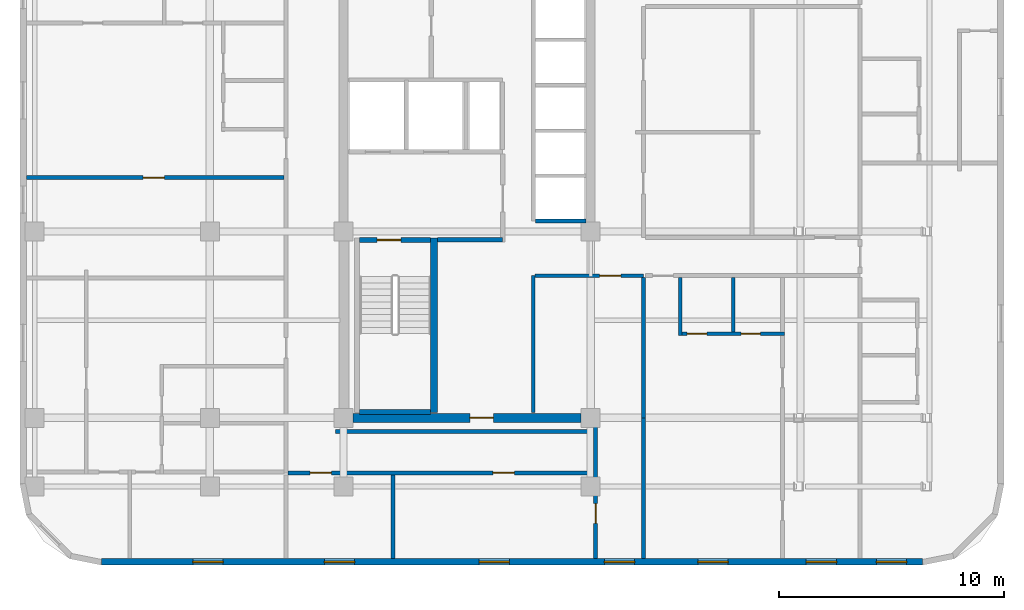
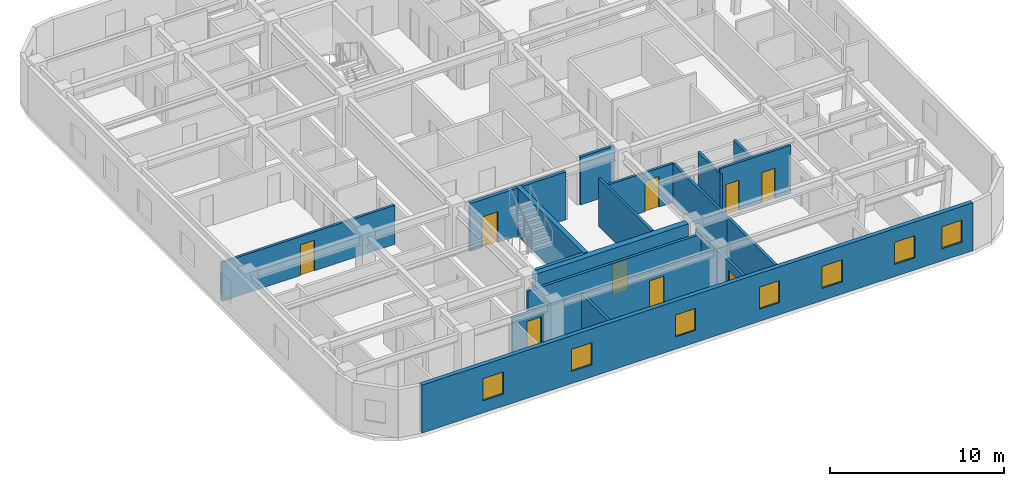
# One storey, part 3 of 8: 19 walls, 9 doors, 7 windows, 16 openings.
"""IFC4 building model written with IfcOpenShell, lengths in metres."""

import ifcopenshell
import ifcopenshell.guid

model = None  # the IFC model being written
_history = None  # IfcOwnerHistory: only IFC2X3 demands one
_inside = {}  # id of a spatial element -> (the spatial element, [elements in it])
_under = {}  # id of a project, library or spatial element -> (it, [spatial elements below it])
_declared = {}  # id of a project -> (the project, [libraries it declares])
_typed = {}  # id of a type object -> (the type object, [elements of that type])
_made_of = {}  # id of a material, layer set ... -> (it, [elements and type objects made of it])


def new_model(schema):
    """Start an empty IFC model of exactly this schema.

    Asked for "IFC4X3", IfcOpenShell would pick the latest addendum, in which some entities
    have other attributes; the version numbers below select the first issue.
    IFC2X3 requires an IfcOwnerHistory on every rooted entity: one is made here for all.
    """
    global model, _history
    if schema == "IFC4X3":
        model = ifcopenshell.file(schema_version=(4, 3, 0, 0))
    else:
        model = ifcopenshell.file(schema=schema)
    _inside.clear()
    _under.clear()
    _declared.clear()
    _typed.clear()
    _made_of.clear()
    _history = None
    if model.schema == "IFC2X3":
        org = make("IfcOrganization", Name="unknown")
        user = make(
            "IfcPersonAndOrganization",
            ThePerson=make("IfcPerson", FamilyName="unknown"),
            TheOrganization=org,
        )
        app = make(
            "IfcApplication",
            ApplicationDeveloper=org,
            Version="unknown",
            ApplicationFullName="unknown",
            ApplicationIdentifier="unknown",
        )
        _history = make(
            "IfcOwnerHistory",
            OwningUser=user,
            OwningApplication=app,
            ChangeAction="ADDED",
            CreationDate=0,
        )
    return model


def make(cls, **values):
    """One entity of the class cls with the attributes given. An attribute that is None is left unset."""
    return model.create_entity(
        cls, **{name: value for name, value in values.items() if value is not None}
    )


def rooted(cls, **values):
    """An entity with a GlobalId (a new one), such as an element, a storey or a relation."""
    return make(cls, GlobalId=ifcopenshell.guid.new(), OwnerHistory=_history, **values)


def si_unit(unit_type, name, prefix=None):
    """IfcSIUnit, for example si_unit("LENGTHUNIT", "METRE", prefix="MILLI")."""
    return make("IfcSIUnit", UnitType=unit_type, Prefix=prefix, Name=name)


def assignment(units):
    """IfcUnitAssignment: the units of a project."""
    return None if units is None else make("IfcUnitAssignment", Units=units)


def point(xyz):
    """IfcCartesianPoint."""
    return None if xyz is None else make("IfcCartesianPoint", Coordinates=xyz)


def direction(xyz):
    """IfcDirection."""
    return None if xyz is None else make("IfcDirection", DirectionRatios=xyz)


def frame(location, z_axis=None, x_axis=None):
    """IfcAxis2Placement3D, a coordinate frame: its origin and axes. An axis left out is left unset."""
    return make(
        "IfcAxis2Placement3D",
        Location=point(location),
        Axis=direction(z_axis),
        RefDirection=direction(x_axis),
    )


def frame_2d(location, x_axis=None):
    """IfcAxis2Placement2D, a coordinate frame in the plane: its origin and x axis."""
    return make(
        "IfcAxis2Placement2D", Location=point(location), RefDirection=direction(x_axis)
    )


def origin():
    """The frame at (0, 0, 0) with its axes left unset."""
    return frame((0.0, 0.0, 0.0))


def place(relative_to, where):
    """IfcLocalPlacement: puts the frame where relative to a parent placement (None: the world)."""
    return make(
        "IfcLocalPlacement", PlacementRelTo=relative_to, RelativePlacement=where
    )


def context(
    kind, dimensions, precision=None, world=None, true_north=None, identifier=None
):
    """IfcGeometricRepresentationContext, for example the 3D "Model" context."""
    return make(
        "IfcGeometricRepresentationContext",
        ContextIdentifier=identifier,
        ContextType=kind,
        CoordinateSpaceDimension=dimensions,
        Precision=precision,
        WorldCoordinateSystem=world,
        TrueNorth=true_north,
    )


def subcontext(parent, identifier, kind, view, scale=None):
    """IfcGeometricRepresentationSubContext, for example "Body" below "Model"."""
    return make(
        "IfcGeometricRepresentationSubContext",
        ContextIdentifier=identifier,
        ContextType=kind,
        ParentContext=parent,
        TargetScale=scale,
        TargetView=view,
    )


def project(units=None, contexts=None):
    """IfcProject with its units and contexts."""
    return rooted(
        "IfcProject",
        Name="project",
        RepresentationContexts=contexts,
        UnitsInContext=assignment(units),
    )


def spatial(cls, under=None, at=None, **own):
    """A site, building, storey or space (cls), placed at a placement, below another one or the project."""
    s = rooted(cls, ObjectPlacement=at, **own)
    if under is not None:
        _under.setdefault(under.id(), (under, []))[1].append(s)
    return s


def profile(cls, at=None, kind="AREA", **sizes):
    """A parametric profile (cls). Its sizes go by their IFC names, for example OverallWidth=200.0."""
    return make(cls, ProfileType=kind, Position=at, **sizes)


def rectangle(**sizes):
    """IfcRectangleProfileDef."""
    return profile("IfcRectangleProfileDef", **sizes)


def extrude(swept, where, along, depth):
    """IfcExtrudedAreaSolid: the profile swept, set in the frame where, extruded along a direction by depth."""
    return make(
        "IfcExtrudedAreaSolid",
        SweptArea=swept,
        Position=where,
        ExtrudedDirection=direction(along),
        Depth=depth,
    )


def shape(context_of_items, identifier, shape_type, items):
    """IfcShapeRepresentation: the items that make up one representation, for example the "Body"."""
    return make(
        "IfcShapeRepresentation",
        ContextOfItems=context_of_items,
        RepresentationIdentifier=identifier,
        RepresentationType=shape_type,
        Items=items,
    )


def material(Name=None, Category=None):
    """IfcMaterial."""
    return make("IfcMaterial", Name=Name, Category=Category)


def layer(
    of_material, thickness, ventilated=None, Name=None, Category=None, Priority=None
):
    """IfcMaterialLayer: one layer of a wall or slab, of a material (None: an air gap)."""
    return make(
        "IfcMaterialLayer",
        Material=of_material,
        LayerThickness=thickness,
        IsVentilated=ventilated,
        Name=Name,
        Category=Category,
        Priority=Priority,
    )


def layer_set(layers, Name=None):
    """IfcMaterialLayerSet."""
    return make("IfcMaterialLayerSet", MaterialLayers=layers, LayerSetName=Name)


def made_of(thing, what):
    """Note that an element or type object is made of a material, layer set ...; save() writes the relation."""
    if what is not None:
        _made_of.setdefault(what.id(), (what, []))[1].append(thing)
    return thing


def type_object(cls, material=None, **own):
    """A type object (cls), such as IfcWallType, which elements share."""
    return made_of(rooted(cls, **own), material)


def element(
    cls,
    number,
    at=None,
    inside=None,
    cuts=None,
    type_object=None,
    material=None,
    context=None,
    identifier="Body",
    shape_type=None,
    held_by="IfcProductDefinitionShape",
    body=None,
    shapes=None,
    **own,
):
    """One element of the class cls, such as IfcWall. Its Tag is "e" and its number.

    at: its placement. inside: the storey or other place that contains it. cuts: it is an
    opening in that element (IfcRelVoidsElement). A single representation is given by context,
    identifier, shape_type and body (its items); several are given by shapes. held_by: the class
    of the entity that holds the representations. save() writes the other relations.
    """
    e = rooted(cls, Tag="e%d" % number, ObjectPlacement=at, **own)
    if body is not None:
        shapes = [shape(context, identifier, shape_type, body)]
    if shapes is not None:
        e.Representation = make(held_by, Representations=shapes)
    if inside is not None:
        _inside.setdefault(inside.id(), (inside, []))[1].append(e)
    if cuts is not None:
        rooted(
            "IfcRelVoidsElement", RelatingBuildingElement=cuts, RelatedOpeningElement=e
        )
    if type_object is not None:
        _typed.setdefault(type_object.id(), (type_object, []))[1].append(e)
    return made_of(e, material)


def fill(opening, filler):
    """IfcRelFillsElement: the door or window that sits in an opening."""
    return rooted(
        "IfcRelFillsElement",
        RelatingOpeningElement=opening,
        RelatedBuildingElement=filler,
    )


def aggregate(whole, parts):
    """IfcRelAggregates: a whole, such as a stair, and the parts it consists of."""
    return rooted("IfcRelAggregates", RelatingObject=whole, RelatedObjects=parts)


def save(model, path):
    """Write the relations noted so far, then the file.

    IfcRelAggregates (storeys below a building ...), IfcRelContainedInSpatialStructure (elements
    in a storey), IfcRelDefinesByType, IfcRelAssociatesMaterial and IfcRelDeclares: one each for
    every whole, place, type object, material and project.
    """
    for whole, parts in _under.values():
        aggregate(whole, parts)
    for where, things in _inside.values():
        rooted(
            "IfcRelContainedInSpatialStructure",
            RelatedElements=things,
            RelatingStructure=where,
        )
    for kind, things in _typed.values():
        rooted("IfcRelDefinesByType", RelatedObjects=things, RelatingType=kind)
    for what, things in _made_of.values():
        rooted("IfcRelAssociatesMaterial", RelatedObjects=things, RelatingMaterial=what)
    for by, libraries in _declared.values():
        rooted("IfcRelDeclares", RelatingContext=by, RelatedDefinitions=libraries)
    model.write(path)


model = new_model("IFC4")

# Units and contexts
model_context = context("Model", 3, precision=1e-05, world=origin(), true_north=direction((0.0, 1.0)))
body_context = subcontext(model_context, "Body", "Model", "MODEL_VIEW")
ifc_project = project(units=[si_unit("LENGTHUNIT", "METRE"), si_unit("AREAUNIT", "SQUARE_METRE"), si_unit("VOLUMEUNIT", "CUBIC_METRE"), si_unit("PLANEANGLEUNIT", "RADIAN"), si_unit("MASSUNIT", "GRAM", prefix="KILO")], contexts=[model_context])

# Site, building, storey
site_placement = place(None, origin())
site = spatial("IfcSite", under=ifc_project, at=site_placement, CompositionType="ELEMENT")
building_placement = place(site_placement, origin())
building = spatial("IfcBuilding", under=site, at=building_placement, Name="Ochreholt Gables", CompositionType="ELEMENT")
storey_placement = place(building_placement, frame((0.0, 0.0, 128.39990234375)))
storey = spatial("IfcBuildingStorey", under=building, at=storey_placement, Name="L33", CompositionType="ELEMENT", Elevation=128.39990234375)

# Wall, opening, door
ifc_material_1 = material(Name="Concrete 60 MPa", Category="concrete")
ifc_layer_1 = layer(ifc_material_1, 0.39990234375, Name="Concrete 60 MPa")
ifc_layer_set_1 = layer_set([ifc_layer_1], Name="Concrete 60 MPa")
wall_type_1 = type_object("IfcWallType", Name="WALL-CSW-400", PredefinedType="SHEAR", material=ifc_layer_set_1)
wall_1_placement = place(storey_placement, frame((24.625, 9.25, 0.0), z_axis=(0.0, 0.0, 1.0), x_axis=(1.0, 0.0, 0.0)))
wall_1 = element("IfcWall", 1, at=wall_1_placement, inside=storey, type_object=wall_type_1, Name="L33 Core South Shear Wall", PredefinedType="SHEAR", context=body_context, shape_type="SweptSolid", body=[
    extrude(rectangle(XDim=10.14990234375, YDim=0.39990234375, at=frame_2d((5.074951171875, 0.0))), origin(), (0.0, 0.0, 1.0), 3.360107421875),
])
opening_1_placement = place(wall_1_placement, frame((5.199951171875, 0.0, 0.0)))
opening_1 = element("IfcOpeningElement", 2, at=opening_1_placement, cuts=wall_1, Name="Opening D-FLB", PredefinedType="OPENING", context=body_context, shape_type="SweptSolid", body=[
    extrude(rectangle(XDim=1.050048828125, YDim=2.14990234375, at=frame_2d((0.52490234375, 1.074951171875))), frame((0.0, 0.2099609375, 0.0), z_axis=(0.0, -1.0, 0.0), x_axis=(1.0, 0.0, 0.0)), (0.0, 0.0, 1.0), 0.419921875),
])
ifc_material_2 = material(Name="Hollow Metal Steel", Category="steel")
door_type_1 = type_object("IfcDoorType", Name="DR-INT-FLB1050", OperationType="NOTDEFINED", PredefinedType="DOOR", material=ifc_material_2)
door_1_placement = place(opening_1_placement, origin())
door_1 = element("IfcDoor", 3, at=door_1_placement, inside=storey, type_object=door_type_1, Name="L33 Door D-C2CRS-L33", OperationType="SINGLE_SWING_LEFT", OverallHeight=2.14990234375, OverallWidth=1.050048828125, PredefinedType="DOOR", context=body_context, shape_type="SweptSolid", body=[
    extrude(rectangle(XDim=1.050048828125, YDim=2.14990234375, at=frame_2d((0.52490234375, 1.074951171875))), frame((0.0, 0.02490234375, 0.0), z_axis=(0.0, -1.0, 0.0), x_axis=(1.0, 0.0, 0.0)), (0.0, 0.0, 1.0), 0.050048828125),
])
fill(opening_1, door_1)

# Wall, openings, windows
ifc_material_3 = material(Name="Precast concrete 40 MPa", Category="concrete")
ifc_layer_2 = layer(ifc_material_3, 0.280029296875, Name="Precast concrete 40 MPa")
ifc_layer_set_2 = layer_set([ifc_layer_2], Name="Precast concrete 40 MPa")
wall_type_2 = type_object("IfcWallType", Name="WALL-EXT-280", PredefinedType="SOLIDWALL", material=ifc_layer_set_2)
wall_2_placement = place(storey_placement, frame((13.419921875, 2.840087890625, 0.0), z_axis=(0.0, 0.0, 1.0), x_axis=(1.0, 0.0, 0.0)))
wall_2 = element("IfcWall", 4, at=wall_2_placement, inside=storey, type_object=wall_type_2, Name="L33 South Exterior Wall", PredefinedType="SOLIDWALL", context=body_context, shape_type="SweptSolid", body=[
    extrude(rectangle(XDim=36.56005859375, YDim=0.280029296875, at=frame_2d((18.280029296875, 0.0))), origin(), (0.0, 0.0, 1.0), 3.360107421875),
])
opening_2_placement = place(wall_2_placement, frame((4.070068359375, 0.0, 0.85009765625)))
opening_2 = element("IfcOpeningElement", 5, at=opening_2_placement, cuts=wall_2, Name="Opening WN-8", PredefinedType="OPENING", context=body_context, shape_type="SweptSolid", body=[
    extrude(rectangle(XDim=1.35009765625, YDim=1.550048828125, at=frame_2d((0.675048828125, 0.77490234375))), frame((0.0, 0.14990234375, 0.0), z_axis=(0.0, -1.0, 0.0), x_axis=(1.0, 0.0, 0.0)), (0.0, 0.0, 1.0), 0.300048828125),
])
opening_3_placement = place(wall_2_placement, frame((9.929931640625, 0.0, 0.85009765625)))
opening_3 = element("IfcOpeningElement", 6, at=opening_3_placement, cuts=wall_2, Name="Opening WN-8", PredefinedType="OPENING", context=body_context, shape_type="SweptSolid", body=[
    extrude(rectangle(XDim=1.35009765625, YDim=1.550048828125, at=frame_2d((0.675048828125, 0.77490234375))), frame((0.0, 0.14990234375, 0.0), z_axis=(0.0, -1.0, 0.0), x_axis=(1.0, 0.0, 0.0)), (0.0, 0.0, 1.0), 0.300048828125),
])
opening_4_placement = place(wall_2_placement, frame((16.81494140625, 0.0, 0.85009765625)))
opening_4 = element("IfcOpeningElement", 7, at=opening_4_placement, cuts=wall_2, Name="Opening WN-8", PredefinedType="OPENING", context=body_context, shape_type="SweptSolid", body=[
    extrude(rectangle(XDim=1.35009765625, YDim=1.550048828125, at=frame_2d((0.675048828125, 0.77490234375))), frame((0.0, 0.14990234375, 0.0), z_axis=(0.0, -1.0, 0.0), x_axis=(1.0, 0.0, 0.0)), (0.0, 0.0, 1.0), 0.300048828125),
])
opening_5_placement = place(wall_2_placement, frame((22.389892578125, 0.0, 0.85009765625)))
opening_5 = element("IfcOpeningElement", 8, at=opening_5_placement, cuts=wall_2, Name="Opening WN-8", PredefinedType="OPENING", context=body_context, shape_type="SweptSolid", body=[
    extrude(rectangle(XDim=1.35009765625, YDim=1.550048828125, at=frame_2d((0.675048828125, 0.77490234375))), frame((0.0, 0.14990234375, 0.0), z_axis=(0.0, -1.0, 0.0), x_axis=(1.0, 0.0, 0.0)), (0.0, 0.0, 1.0), 0.300048828125),
])
opening_6_placement = place(wall_2_placement, frame((26.550048828125, 0.0, 0.85009765625)))
opening_6 = element("IfcOpeningElement", 9, at=opening_6_placement, cuts=wall_2, Name="Opening WN-8", PredefinedType="OPENING", context=body_context, shape_type="SweptSolid", body=[
    extrude(rectangle(XDim=1.35009765625, YDim=1.550048828125, at=frame_2d((0.675048828125, 0.77490234375))), frame((0.0, 0.14990234375, 0.0), z_axis=(0.0, -1.0, 0.0), x_axis=(1.0, 0.0, 0.0)), (0.0, 0.0, 1.0), 0.300048828125),
])
opening_7_placement = place(wall_2_placement, frame((31.375, 0.0, 0.85009765625)))
opening_7 = element("IfcOpeningElement", 10, at=opening_7_placement, cuts=wall_2, Name="Opening WN-8", PredefinedType="OPENING", context=body_context, shape_type="SweptSolid", body=[
    extrude(rectangle(XDim=1.35009765625, YDim=1.550048828125, at=frame_2d((0.675048828125, 0.77490234375))), frame((0.0, 0.14990234375, 0.0), z_axis=(0.0, -1.0, 0.0), x_axis=(1.0, 0.0, 0.0)), (0.0, 0.0, 1.0), 0.300048828125),
])
opening_8_placement = place(wall_2_placement, frame((34.4951171875, 0.0, 0.85009765625)))
opening_8 = element("IfcOpeningElement", 11, at=opening_8_placement, cuts=wall_2, Name="Opening WN-8", PredefinedType="OPENING", context=body_context, shape_type="SweptSolid", body=[
    extrude(rectangle(XDim=1.35009765625, YDim=1.550048828125, at=frame_2d((0.675048828125, 0.77490234375))), frame((0.0, 0.14990234375, 0.0), z_axis=(0.0, -1.0, 0.0), x_axis=(1.0, 0.0, 0.0)), (0.0, 0.0, 1.0), 0.300048828125),
])
ifc_material_4 = material(Name="Triple-Glazed Thermally Broken Aluminium Window", Category="aluminium")
window_type = type_object("IfcWindowType", Name="WIN-RES-1350", PartitioningType="SINGLE_PANEL", PredefinedType="WINDOW", material=ifc_material_4)
window_1_placement = place(opening_2_placement, origin())
window_1 = element("IfcWindow", 12, at=window_1_placement, inside=storey, type_object=window_type, Name="L33 Window W-EXT-S-L33-1", OverallHeight=1.550048828125, OverallWidth=1.35009765625, PartitioningType="SINGLE_PANEL", PredefinedType="WINDOW", context=body_context, shape_type="SweptSolid", body=[
    extrude(rectangle(XDim=1.35009765625, YDim=1.550048828125, at=frame_2d((0.675048828125, 0.77490234375))), frame((0.0, 0.030029296875, 0.0), z_axis=(0.0, -1.0, 0.0), x_axis=(1.0, 0.0, 0.0)), (0.0, 0.0, 1.0), 0.06005859375),
])
fill(opening_2, window_1)
window_2_placement = place(opening_3_placement, origin())
window_2 = element("IfcWindow", 13, at=window_2_placement, inside=storey, type_object=window_type, Name="L33 Window W-EXT-S-L33-2", OverallHeight=1.550048828125, OverallWidth=1.35009765625, PartitioningType="SINGLE_PANEL", PredefinedType="WINDOW", context=body_context, shape_type="SweptSolid", body=[
    extrude(rectangle(XDim=1.35009765625, YDim=1.550048828125, at=frame_2d((0.675048828125, 0.77490234375))), frame((0.0, 0.030029296875, 0.0), z_axis=(0.0, -1.0, 0.0), x_axis=(1.0, 0.0, 0.0)), (0.0, 0.0, 1.0), 0.06005859375),
])
fill(opening_3, window_2)
window_3_placement = place(opening_4_placement, origin())
window_3 = element("IfcWindow", 14, at=window_3_placement, inside=storey, type_object=window_type, Name="L33 Window W-EXT-S-L33-3", OverallHeight=1.550048828125, OverallWidth=1.35009765625, PartitioningType="SINGLE_PANEL", PredefinedType="WINDOW", context=body_context, shape_type="SweptSolid", body=[
    extrude(rectangle(XDim=1.35009765625, YDim=1.550048828125, at=frame_2d((0.675048828125, 0.77490234375))), frame((0.0, 0.030029296875, 0.0), z_axis=(0.0, -1.0, 0.0), x_axis=(1.0, 0.0, 0.0)), (0.0, 0.0, 1.0), 0.06005859375),
])
fill(opening_4, window_3)
window_4_placement = place(opening_5_placement, origin())
window_4 = element("IfcWindow", 15, at=window_4_placement, inside=storey, type_object=window_type, Name="L33 Window W-EXT-S-L33-4", OverallHeight=1.550048828125, OverallWidth=1.35009765625, PartitioningType="SINGLE_PANEL", PredefinedType="WINDOW", context=body_context, shape_type="SweptSolid", body=[
    extrude(rectangle(XDim=1.35009765625, YDim=1.550048828125, at=frame_2d((0.675048828125, 0.77490234375))), frame((0.0, 0.030029296875, 0.0), z_axis=(0.0, -1.0, 0.0), x_axis=(1.0, 0.0, 0.0)), (0.0, 0.0, 1.0), 0.06005859375),
])
fill(opening_5, window_4)
window_5_placement = place(opening_6_placement, origin())
window_5 = element("IfcWindow", 16, at=window_5_placement, inside=storey, type_object=window_type, Name="L33 Window W-EXT-S-L33-5", OverallHeight=1.550048828125, OverallWidth=1.35009765625, PartitioningType="SINGLE_PANEL", PredefinedType="WINDOW", context=body_context, shape_type="SweptSolid", body=[
    extrude(rectangle(XDim=1.35009765625, YDim=1.550048828125, at=frame_2d((0.675048828125, 0.77490234375))), frame((0.0, 0.030029296875, 0.0), z_axis=(0.0, -1.0, 0.0), x_axis=(1.0, 0.0, 0.0)), (0.0, 0.0, 1.0), 0.06005859375),
])
fill(opening_6, window_5)
window_6_placement = place(opening_7_placement, origin())
window_6 = element("IfcWindow", 17, at=window_6_placement, inside=storey, type_object=window_type, Name="L33 Window W-EXT-S-L33-6", OverallHeight=1.550048828125, OverallWidth=1.35009765625, PartitioningType="SINGLE_PANEL", PredefinedType="WINDOW", context=body_context, shape_type="SweptSolid", body=[
    extrude(rectangle(XDim=1.35009765625, YDim=1.550048828125, at=frame_2d((0.675048828125, 0.77490234375))), frame((0.0, 0.030029296875, 0.0), z_axis=(0.0, -1.0, 0.0), x_axis=(1.0, 0.0, 0.0)), (0.0, 0.0, 1.0), 0.06005859375),
])
fill(opening_7, window_6)
window_7_placement = place(opening_8_placement, origin())
window_7 = element("IfcWindow", 18, at=window_7_placement, inside=storey, type_object=window_type, Name="L33 Window W-EXT-S-L33-7", OverallHeight=1.550048828125, OverallWidth=1.35009765625, PartitioningType="SINGLE_PANEL", PredefinedType="WINDOW", context=body_context, shape_type="SweptSolid", body=[
    extrude(rectangle(XDim=1.35009765625, YDim=1.550048828125, at=frame_2d((0.675048828125, 0.77490234375))), frame((0.0, 0.030029296875, 0.0), z_axis=(0.0, -1.0, 0.0), x_axis=(1.0, 0.0, 0.0)), (0.0, 0.0, 1.0), 0.06005859375),
])
fill(opening_8, window_7)

# Wall
ifc_material_5 = material(Name="Concrete 40 MPa", Category="concrete")
ifc_layer_3 = layer(ifc_material_5, 0.199951171875, Name="Concrete 40 MPa")
ifc_layer_set_3 = layer_set([ifc_layer_3], Name="Concrete 40 MPa")
wall_type_3 = type_object("IfcWallType", Name="WALL-INT-CF200", PredefinedType="STANDARD", material=ifc_layer_set_3)
wall_3_placement = place(storey_placement, frame((28.3798828125, 17.169921875, 0.0), z_axis=(0.0, 0.0, 1.0), x_axis=(1.0, 0.0, 0.0)))
element("IfcWall", 19, at=wall_3_placement, inside=storey, type_object=wall_type_3, Name="L33 Interior Wall WI-FFS-L33", PredefinedType="STANDARD", context=body_context, shape_type="SweptSolid", body=[
    extrude(rectangle(XDim=2.900146484375, YDim=0.199951171875, at=frame_2d((1.4501953125, 0.0))), origin(), (0.0, 0.0, 1.0), 3.360107421875),
])

# Wall, openings, doors
ifc_material_6 = material(Name="Fire-Rated Gypsum Acoustic Partition", Category="gypsum")
ifc_layer_4 = layer(ifc_material_6, 0.179931640625, Name="Fire-Rated Gypsum Acoustic Partition")
ifc_layer_set_4 = layer_set([ifc_layer_4], Name="Fire-Rated Gypsum Acoustic Partition")
wall_type_4 = type_object("IfcWallType", Name="WALL-INT-CR180", PredefinedType="STANDARD", material=ifc_layer_set_4)
wall_4_placement = place(storey_placement, frame((21.739990234375, 6.800048828125, 0.0), z_axis=(0.0, 0.0, 1.0), x_axis=(1.0, 0.0, 0.0)))
wall_4 = element("IfcWall", 20, at=wall_4_placement, inside=storey, type_object=wall_type_4, Name="L33 Interior Wall WI-C2WCS-L33", PredefinedType="STANDARD", context=body_context, shape_type="SweptSolid", body=[
    extrude(rectangle(XDim=13.679931640625, YDim=0.179931640625, at=frame_2d((6.83984375, 0.0))), origin(), (0.0, 0.0, 1.0), 2.731201171875),
])
opening_9_placement = place(wall_4_placement, frame((0.969970703125, 0.0, 0.0)))
opening_9 = element("IfcOpeningElement", 21, at=opening_9_placement, cuts=wall_4, Name="Opening D-GN1", PredefinedType="OPENING", context=body_context, shape_type="SweptSolid", body=[
    extrude(rectangle(XDim=0.949951171875, YDim=2.14990234375, at=frame_2d((0.47509765625, 1.074951171875))), frame((0.0, 0.099853515625, 0.0), z_axis=(0.0, -1.0, 0.0), x_axis=(1.0, 0.0, 0.0)), (0.0, 0.0, 1.0), 0.199951171875),
])
opening_10_placement = place(wall_4_placement, frame((9.110107421875, 0.0, 0.0)))
opening_10 = element("IfcOpeningElement", 22, at=opening_10_placement, cuts=wall_4, Name="Opening D-GN1", PredefinedType="OPENING", context=body_context, shape_type="SweptSolid", body=[
    extrude(rectangle(XDim=0.949951171875, YDim=2.14990234375, at=frame_2d((0.47509765625, 1.074951171875))), frame((0.0, 0.099853515625, 0.0), z_axis=(0.0, -1.0, 0.0), x_axis=(1.0, 0.0, 0.0)), (0.0, 0.0, 1.0), 0.199951171875),
])
ifc_material_7 = material(Name="Engineered Oak Timber", Category="wood")
door_type_2 = type_object("IfcDoorType", Name="DR-INT-GEN950", OperationType="NOTDEFINED", PredefinedType="DOOR", material=ifc_material_7)
door_2_placement = place(opening_9_placement, origin())
door_2 = element("IfcDoor", 23, at=door_2_placement, inside=storey, type_object=door_type_2, Name="L33 Door D-C2STL1-L33", OperationType="SINGLE_SWING_LEFT", OverallHeight=2.14990234375, OverallWidth=0.949951171875, PredefinedType="DOOR", context=body_context, shape_type="SweptSolid", body=[
    extrude(rectangle(XDim=0.949951171875, YDim=2.14990234375, at=frame_2d((0.47509765625, 1.074951171875))), frame((0.0, 0.02490234375, 0.0), z_axis=(0.0, -1.0, 0.0), x_axis=(1.0, 0.0, 0.0)), (0.0, 0.0, 1.0), 0.050048828125),
])
fill(opening_9, door_2)
door_3_placement = place(opening_10_placement, origin())
door_3 = element("IfcDoor", 24, at=door_3_placement, inside=storey, type_object=door_type_2, Name="L33 Door D-C2STL2-L33", OperationType="SINGLE_SWING_RIGHT", OverallHeight=2.14990234375, OverallWidth=0.949951171875, PredefinedType="DOOR", context=body_context, shape_type="SweptSolid", body=[
    extrude(rectangle(XDim=0.949951171875, YDim=2.14990234375, at=frame_2d((0.47509765625, 1.074951171875))), frame((0.0, 0.02490234375, 0.0), z_axis=(0.0, -1.0, 0.0), x_axis=(1.0, 0.0, 0.0)), (0.0, 0.0, 1.0), 0.050048828125),
])
fill(opening_10, door_3)

# Wall
wall_5_placement = place(storey_placement, frame((23.85009765625, 8.64990234375, 0.0), z_axis=(0.0, 0.0, 1.0), x_axis=(1.0, 0.0, 0.0)))
element("IfcWall", 25, at=wall_5_placement, inside=storey, type_object=wall_type_4, Name="L33 Interior Wall WI-C2WCS2-L33", PredefinedType="STANDARD", context=body_context, shape_type="SweptSolid", body=[
    extrude(rectangle(XDim=11.56982421875, YDim=0.179931640625, at=frame_2d((5.784912109375, 0.0))), origin(), (0.0, 0.0, 1.0), 2.731201171875),
])

# Wall, opening, door
ifc_material_8 = material(Name="Double-Stud Acoustic Demising Wall", Category="gypsum")
ifc_layer_5 = layer(ifc_material_8, 0.179931640625, Name="Double-Stud Acoustic Demising Wall")
ifc_layer_set_5 = layer_set([ifc_layer_5], Name="Double-Stud Acoustic Demising Wall")
wall_type_5 = type_object("IfcWallType", Name="WALL-INT-DM180", PredefinedType="PARTITIONING", material=ifc_layer_set_5)
wall_6_placement = place(storey_placement, frame((35.419921875, 2.97998046875, 0.0), z_axis=(0.0, 0.0, 1.0), x_axis=(0.0, 1.0, 0.0)))
wall_6 = element("IfcWall", 26, at=wall_6_placement, inside=storey, type_object=wall_type_5, Name="L33 Interior Wall WI-C2SES-L33", PredefinedType="PARTITIONING", context=body_context, shape_type="SweptSolid", body=[
    extrude(rectangle(XDim=6.27001953125, YDim=0.179931640625, at=frame_2d((3.135009765625, 0.0))), origin(), (0.0, 0.0, 1.0), 2.731201171875),
])
opening_11_placement = place(wall_6_placement, frame((1.570068359375, 0.0, 0.0)))
opening_11 = element("IfcOpeningElement", 27, at=opening_11_placement, cuts=wall_6, Name="Opening D-GN2", PredefinedType="OPENING", context=body_context, shape_type="SweptSolid", body=[
    extrude(rectangle(XDim=0.8798828125, YDim=2.1201171875, at=frame_2d((0.43994140625, 1.06005859375))), frame((0.0, 0.099853515625, 0.0), z_axis=(0.0, -1.0, 0.0), x_axis=(1.0, 0.0, 0.0)), (0.0, 0.0, 1.0), 0.199951171875),
])
door_type_3 = type_object("IfcDoorType", Name="DR-INT-GEN880", OperationType="NOTDEFINED", PredefinedType="DOOR", material=ifc_material_7)
door_4_placement = place(opening_11_placement, origin())
door_4 = element("IfcDoor", 28, at=door_4_placement, inside=storey, type_object=door_type_3, Name="L33 Door D-C2SPS-L33", OperationType="SINGLE_SWING_LEFT", OverallHeight=2.1201171875, OverallWidth=0.8798828125, PredefinedType="DOOR", context=body_context, shape_type="SweptSolid", body=[
    extrude(rectangle(XDim=0.8798828125, YDim=2.1201171875, at=frame_2d((0.43994140625, 1.06005859375))), frame((0.0, 0.02490234375, 0.0), z_axis=(0.0, -1.0, 0.0), x_axis=(1.0, 0.0, 0.0)), (0.0, 0.0, 1.0), 0.050048828125),
])
fill(opening_11, door_4)

# Wall
wall_7_placement = place(storey_placement, frame((37.550048828125, 2.97998046875, 0.0), z_axis=(0.0, 0.0, 1.0), x_axis=(0.0, 1.0, 0.0)))
element("IfcWall", 29, at=wall_7_placement, inside=storey, type_object=wall_type_5, Name="L33 Interior Wall WI-C2SEW2-L33", PredefinedType="PARTITIONING", context=body_context, shape_type="SweptSolid", body=[
    extrude(rectangle(XDim=6.27001953125, YDim=0.179931640625, at=frame_2d((3.135009765625, 0.0))), origin(), (0.0, 0.0, 1.0), 2.731201171875),
])

# Wall, openings, doors
ifc_material_9 = material(Name="Moisture-Resistant Plumbing Chase Wall", Category="gypsum")
ifc_layer_6 = layer(ifc_material_9, 0.159912109375, Name="Moisture-Resistant Plumbing Chase Wall")
ifc_layer_set_6 = layer_set([ifc_layer_6], Name="Moisture-Resistant Plumbing Chase Wall")
wall_type_6 = type_object("IfcWallType", Name="WALL-INT-PL160", PredefinedType="PLUMBINGWALL", material=ifc_layer_set_6)
wall_8_placement = place(storey_placement, frame((39.110107421875, 12.992431640625, 0.0), z_axis=(0.0, 0.0, 1.0), x_axis=(1.0, 0.0, 0.0)))
wall_8 = element("IfcWall", 30, at=wall_8_placement, inside=storey, type_object=wall_type_6, Name="L33 Interior Wall WU-L33S1-WY", PredefinedType="PLUMBINGWALL", context=body_context, shape_type="SweptSolid", body=[
    extrude(rectangle(XDim=4.7099609375, YDim=0.159912109375, at=frame_2d((2.35498046875, 0.0))), origin(), (0.0, 0.0, 1.0), 3.360107421875),
])
opening_12_placement = place(wall_8_placement, frame((0.3798828125, 0.0, 0.0)))
opening_12 = element("IfcOpeningElement", 31, at=opening_12_placement, cuts=wall_8, Name="Opening D-GN2", PredefinedType="OPENING", context=body_context, shape_type="SweptSolid", body=[
    extrude(rectangle(XDim=0.8798828125, YDim=2.1201171875, at=frame_2d((0.43994140625, 1.06005859375))), frame((0.0, 0.08984375, 0.0), z_axis=(0.0, -1.0, 0.0), x_axis=(1.0, 0.0, 0.0)), (0.0, 0.0, 1.0), 0.179931640625),
])
opening_13_placement = place(wall_8_placement, frame((2.785888671875, 0.0, 0.0)))
opening_13 = element("IfcOpeningElement", 32, at=opening_13_placement, cuts=wall_8, Name="Opening D-BT1", PredefinedType="OPENING", context=body_context, shape_type="SweptSolid", body=[
    extrude(rectangle(XDim=0.860107421875, YDim=2.1201171875, at=frame_2d((0.43017578125, 1.06005859375))), frame((0.0, 0.08984375, 0.0), z_axis=(0.0, -1.0, 0.0), x_axis=(1.0, 0.0, 0.0)), (0.0, 0.0, 1.0), 0.179931640625),
])
door_type_4 = type_object("IfcDoorType", Name="DR-INT-BTH860", OperationType="NOTDEFINED", PredefinedType="DOOR", material=ifc_material_7)
door_5_placement = place(opening_13_placement, origin())
door_5 = element("IfcDoor", 33, at=door_5_placement, inside=storey, type_object=door_type_4, Name="L33 Door D-U-L33S1-BTH", OperationType="SINGLE_SWING_RIGHT", OverallHeight=2.1201171875, OverallWidth=0.860107421875, PredefinedType="DOOR", context=body_context, shape_type="SweptSolid", body=[
    extrude(rectangle(XDim=0.860107421875, YDim=2.1201171875, at=frame_2d((0.43017578125, 1.06005859375))), frame((0.0, 0.02490234375, 0.0), z_axis=(0.0, -1.0, 0.0), x_axis=(1.0, 0.0, 0.0)), (0.0, 0.0, 1.0), 0.050048828125),
])
fill(opening_13, door_5)
door_6_placement = place(opening_12_placement, origin())
door_6 = element("IfcDoor", 34, at=door_6_placement, inside=storey, type_object=door_type_3, Name="L33 Door D-U-L33S1-KIT", OperationType="SINGLE_SWING_LEFT", OverallHeight=2.1201171875, OverallWidth=0.8798828125, PredefinedType="DOOR", context=body_context, shape_type="SweptSolid", body=[
    extrude(rectangle(XDim=0.8798828125, YDim=2.1201171875, at=frame_2d((0.43994140625, 1.06005859375))), frame((0.0, 0.02490234375, 0.0), z_axis=(0.0, -1.0, 0.0), x_axis=(1.0, 0.0, 0.0)), (0.0, 0.0, 1.0), 0.050048828125),
])
fill(opening_12, door_6)

# Walls
wall_9_placement = place(storey_placement, frame((39.18994140625, 12.91259765625, 0.0), z_axis=(0.0, 0.0, 1.0), x_axis=(0.0, 1.0, 0.0)))
element("IfcWall", 35, at=wall_9_placement, inside=storey, type_object=wall_type_6, Name="L33 Interior Wall WU-L33S1-FY", PredefinedType="PLUMBINGWALL", context=body_context, shape_type="SweptSolid", body=[
    extrude(rectangle(XDim=2.577392578125, YDim=0.159912109375, at=frame_2d((1.28857421875, 0.0))), origin(), (0.0, 0.0, 1.0), 2.988037109375),
])
wall_10_placement = place(storey_placement, frame((41.555908203125, 13.072509765625, 0.0), z_axis=(0.0, 0.0, 1.0), x_axis=(0.0, 1.0, 0.0)))
element("IfcWall", 36, at=wall_10_placement, inside=storey, type_object=wall_type_6, Name="L33 Interior Wall WU-L33S1-WK", PredefinedType="PLUMBINGWALL", context=body_context, shape_type="SweptSolid", body=[
    extrude(rectangle(XDim=2.41748046875, YDim=0.159912109375, at=frame_2d((1.208740234375, 0.0))), origin(), (0.0, 0.0, 1.0), 2.988037109375),
])
ifc_material_10 = material(Name="Gypsum Acoustic Stud Partition", Category="gypsum")
ifc_layer_7 = layer(ifc_material_10, 0.1650390625, Name="Gypsum Acoustic Stud Partition")
ifc_layer_set_7 = layer_set([ifc_layer_7], Name="Gypsum Acoustic Stud Partition")
wall_type_7 = type_object("IfcWallType", Name="WALL-INT-PT165", PredefinedType="PARTITIONING", material=ifc_layer_set_7)
wall_11_placement = place(storey_placement, frame((32.64990234375, 9.5, 0.0), z_axis=(0.0, 0.0, 1.0), x_axis=(0.0, 1.0, 0.0)))
element("IfcWall", 37, at=wall_11_placement, inside=storey, type_object=wall_type_7, Name="L33 Interior Wall WI-RCL-W-L33", PredefinedType="PARTITIONING", context=body_context, shape_type="SweptSolid", body=[
    extrude(rectangle(XDim=6.080078125, YDim=0.1650390625, at=frame_2d((3.0400390625, 0.0))), origin(), (0.0, 0.0, 1.0), 3.360107421875),
])

# Wall, opening, door
wall_12_placement = place(storey_placement, frame((32.732421875, 15.580078125, 0.0), z_axis=(0.0, 0.0, 1.0), x_axis=(1.0, 0.0, 0.0)))
wall_12 = element("IfcWall", 38, at=wall_12_placement, inside=storey, type_object=wall_type_7, Name="L33 Interior Wall WI-RCL-N-L33", PredefinedType="PARTITIONING", context=body_context, shape_type="SweptSolid", body=[
    extrude(rectangle(XDim=4.817626953125, YDim=0.1650390625, at=frame_2d((2.40869140625, 0.0))), origin(), (0.0, 0.0, 1.0), 2.731201171875),
])
opening_14_placement = place(wall_12_placement, frame((2.867431640625, 0.0, 0.0)))
opening_14 = element("IfcOpeningElement", 39, at=opening_14_placement, cuts=wall_12, Name="Opening D-GN1", PredefinedType="OPENING", context=body_context, shape_type="SweptSolid", body=[
    extrude(rectangle(XDim=0.949951171875, YDim=2.14990234375, at=frame_2d((0.47509765625, 1.074951171875))), frame((0.0, 0.092529296875, 0.0), z_axis=(0.0, -1.0, 0.0), x_axis=(1.0, 0.0, 0.0)), (0.0, 0.0, 1.0), 0.18505859375),
])
door_7_placement = place(opening_14_placement, origin())
door_7 = element("IfcDoor", 40, at=door_7_placement, inside=storey, type_object=door_type_2, Name="L33 Door D-RCL-L33", OperationType="SINGLE_SWING_LEFT", OverallHeight=2.14990234375, OverallWidth=0.949951171875, PredefinedType="DOOR", context=body_context, shape_type="SweptSolid", body=[
    extrude(rectangle(XDim=0.949951171875, YDim=2.14990234375, at=frame_2d((0.47509765625, 1.074951171875))), frame((0.0, 0.02490234375, 0.0), z_axis=(0.0, -1.0, 0.0), x_axis=(1.0, 0.0, 0.0)), (0.0, 0.0, 1.0), 0.050048828125),
])
fill(opening_14, door_7)

# Wall
wall_13_placement = place(storey_placement, frame((37.550048828125, 9.25, 0.0), z_axis=(0.0, 0.0, 1.0), x_axis=(0.0, 1.0, 0.0)))
element("IfcWall", 41, at=wall_13_placement, inside=storey, type_object=wall_type_7, Name="L33 Interior Wall WI-RCL-E-L33", PredefinedType="PARTITIONING", context=body_context, shape_type="SweptSolid", body=[
    extrude(rectangle(XDim=6.24755859375, YDim=0.1650390625, at=frame_2d((3.123779296875, 0.0))), origin(), (0.0, 0.0, 1.0), 2.731201171875),
])

# Wall, opening, door
wall_14_placement = place(storey_placement, frame((10.080078125, 19.94677734375, 0.0), z_axis=(0.0, 0.0, 1.0), x_axis=(1.0, 0.0, 0.0)))
wall_14 = element("IfcWall", 42, at=wall_14_placement, inside=storey, type_object=wall_type_7, Name="L33 Interior Wall WU-L33W2-DNW", PredefinedType="PARTITIONING", context=body_context, shape_type="SweptSolid", body=[
    extrude(rectangle(XDim=11.47998046875, YDim=0.1650390625, at=frame_2d((5.739990234375, 0.0))), origin(), (0.0, 0.0, 1.0), 2.731201171875),
])
opening_15_placement = place(wall_14_placement, frame((5.195068359375, 0.0, 0.0)))
opening_15 = element("IfcOpeningElement", 43, at=opening_15_placement, cuts=wall_14, Name="Opening D-GN1", PredefinedType="OPENING", context=body_context, shape_type="SweptSolid", body=[
    extrude(rectangle(XDim=0.949951171875, YDim=2.14990234375, at=frame_2d((0.47509765625, 1.074951171875))), frame((0.0, 0.092529296875, 0.0), z_axis=(0.0, -1.0, 0.0), x_axis=(1.0, 0.0, 0.0)), (0.0, 0.0, 1.0), 0.18505859375),
])
door_8_placement = place(opening_15_placement, origin())
door_8 = element("IfcDoor", 44, at=door_8_placement, inside=storey, type_object=door_type_2, Name="L33 Door D-U-L33W2-DIN", OperationType="SINGLE_SWING_RIGHT", OverallHeight=2.14990234375, OverallWidth=0.949951171875, PredefinedType="DOOR", context=body_context, shape_type="SweptSolid", body=[
    extrude(rectangle(XDim=0.949951171875, YDim=2.14990234375, at=frame_2d((0.47509765625, 1.074951171875))), frame((0.0, 0.02490234375, 0.0), z_axis=(0.0, -1.0, 0.0), x_axis=(1.0, 0.0, 0.0)), (0.0, 0.0, 1.0), 0.050048828125),
])
fill(opening_15, door_8)

# Walls
wall_15_placement = place(storey_placement, frame((26.39990234375, 2.97998046875, 0.0), z_axis=(0.0, 0.0, 1.0), x_axis=(0.0, 1.0, 0.0)))
element("IfcWall", 45, at=wall_15_placement, inside=storey, type_object=wall_type_7, Name="L33 Interior Wall WI-C2PKS-L33", PredefinedType="PARTITIONING", context=body_context, shape_type="SweptSolid", body=[
    extrude(rectangle(XDim=3.72998046875, YDim=0.1650390625, at=frame_2d((1.864990234375, 0.0))), origin(), (0.0, 0.0, 1.0), 2.80908203125),
])
ifc_material_11 = material(Name="Gypsum Shaftliner and Steel Stud", Category="steel")
ifc_layer_8 = layer(ifc_material_11, 0.179931640625, Name="Gypsum Shaftliner and Steel Stud")
ifc_layer_set_8 = layer_set([ifc_layer_8], Name="Gypsum Shaftliner and Steel Stud")
wall_type_8 = type_object("IfcWallType", Name="WALL-INT-SH180", PredefinedType="STANDARD", material=ifc_layer_set_8)
wall_16_placement = place(storey_placement, frame((32.739990234375, 18.02001953125, 0.0), z_axis=(0.0, 0.0, 1.0), x_axis=(1.0, 0.0, 0.0)))
element("IfcWall", 46, at=wall_16_placement, inside=storey, type_object=wall_type_8, Name="L33 Interior Wall WI-LFHE-S-L33", PredefinedType="STANDARD", context=body_context, shape_type="SweptSolid", body=[
    extrude(rectangle(XDim=2.260009765625, YDim=0.179931640625, at=frame_2d((1.1298828125, 0.0))), origin(), (0.0, 0.0, 1.0), 3.360107421875),
])
ifc_layer_9 = layer(ifc_material_1, 0.300048828125, Name="Concrete 60 MPa")
ifc_layer_set_9 = layer_set([ifc_layer_9], Name="Concrete 60 MPa")
wall_type_9 = type_object("IfcWallType", Name="WALL-SPN-300", PredefinedType="SHEAR", material=ifc_layer_set_9)
wall_17_placement = place(storey_placement, frame((28.22998046875, 9.5, 0.0), z_axis=(0.0, 0.0, 1.0), x_axis=(0.0, 1.0, 0.0)))
element("IfcWall", 47, at=wall_17_placement, inside=storey, type_object=wall_type_9, Name="L33 Core South Spine Shear Wall", PredefinedType="SHEAR", context=body_context, shape_type="SweptSolid", body=[
    extrude(rectangle(XDim=7.760009765625, YDim=0.300048828125, at=frame_2d((3.8798828125, 0.0))), origin(), (0.0, 0.0, 1.0), 3.360107421875),
])
ifc_material_12 = material(Name="Concrete 50 MPa", Category="concrete")
ifc_layer_10 = layer(ifc_material_12, 0.219970703125, Name="Concrete 50 MPa")
ifc_layer_set_10 = layer_set([ifc_layer_10], Name="Concrete 50 MPa")
wall_type_10 = type_object("IfcWallType", Name="WALL-STW-220", PredefinedType="SHEAR", material=ifc_layer_set_10)
wall_18_placement = place(storey_placement, frame((24.919921875, 9.510009765625, 0.0), z_axis=(0.0, 0.0, 1.0), x_axis=(1.0, 0.0, 0.0)))
element("IfcWall", 48, at=wall_18_placement, inside=storey, type_object=wall_type_10, Name="L33 Exit Stair 1 South Wall", PredefinedType="SHEAR", context=body_context, shape_type="SweptSolid", body=[
    extrude(rectangle(XDim=3.16015625, YDim=0.219970703125, at=frame_2d((1.580078125, 0.0))), origin(), (0.0, 0.0, 1.0), 3.360107421875),
])

# Wall, opening, door
wall_19_placement = place(storey_placement, frame((24.919921875, 17.169921875, 0.0), z_axis=(0.0, 0.0, 1.0), x_axis=(1.0, 0.0, 0.0)))
wall_19 = element("IfcWall", 49, at=wall_19_placement, inside=storey, type_object=wall_type_10, Name="L33 Exit Stair 1 North Wall", PredefinedType="SHEAR", context=body_context, shape_type="SweptSolid", body=[
    extrude(rectangle(XDim=3.16015625, YDim=0.219970703125, at=frame_2d((1.580078125, 0.0))), origin(), (0.0, 0.0, 1.0), 3.360107421875),
])
opening_16_placement = place(wall_19_placement, frame((0.780029296875, 0.0, 0.0)))
opening_16 = element("IfcOpeningElement", 50, at=opening_16_placement, cuts=wall_19, Name="Opening D-STC", PredefinedType="OPENING", context=body_context, shape_type="SweptSolid", body=[
    extrude(rectangle(XDim=1.050048828125, YDim=2.14990234375, at=frame_2d((0.52490234375, 1.074951171875))), frame((0.0, 0.119873046875, 0.0), z_axis=(0.0, -1.0, 0.0), x_axis=(1.0, 0.0, 0.0)), (0.0, 0.0, 1.0), 0.239990234375),
])
door_type_5 = type_object("IfcDoorType", Name="DR-INT-ST1050", OperationType="NOTDEFINED", PredefinedType="DOOR", material=ifc_material_2)
door_9_placement = place(opening_16_placement, frame((1.050048828125, 0.0, 0.0), z_axis=(0.0, 0.0, 1.0), x_axis=(-1.0, 0.0, 0.0)))
door_9 = element("IfcDoor", 51, at=door_9_placement, inside=storey, type_object=door_type_5, Name="L33 Door D-ST1-L33", OperationType="SINGLE_SWING_LEFT", OverallHeight=2.14990234375, OverallWidth=1.050048828125, PredefinedType="DOOR", context=body_context, shape_type="SweptSolid", body=[
    extrude(rectangle(XDim=1.050048828125, YDim=2.14990234375, at=frame_2d((0.52490234375, 1.074951171875))), frame((0.0, 0.02490234375, 0.0), z_axis=(0.0, -1.0, 0.0), x_axis=(1.0, 0.0, 0.0)), (0.0, 0.0, 1.0), 0.050048828125),
])
fill(opening_16, door_9)

save(model, "model.ifc")
